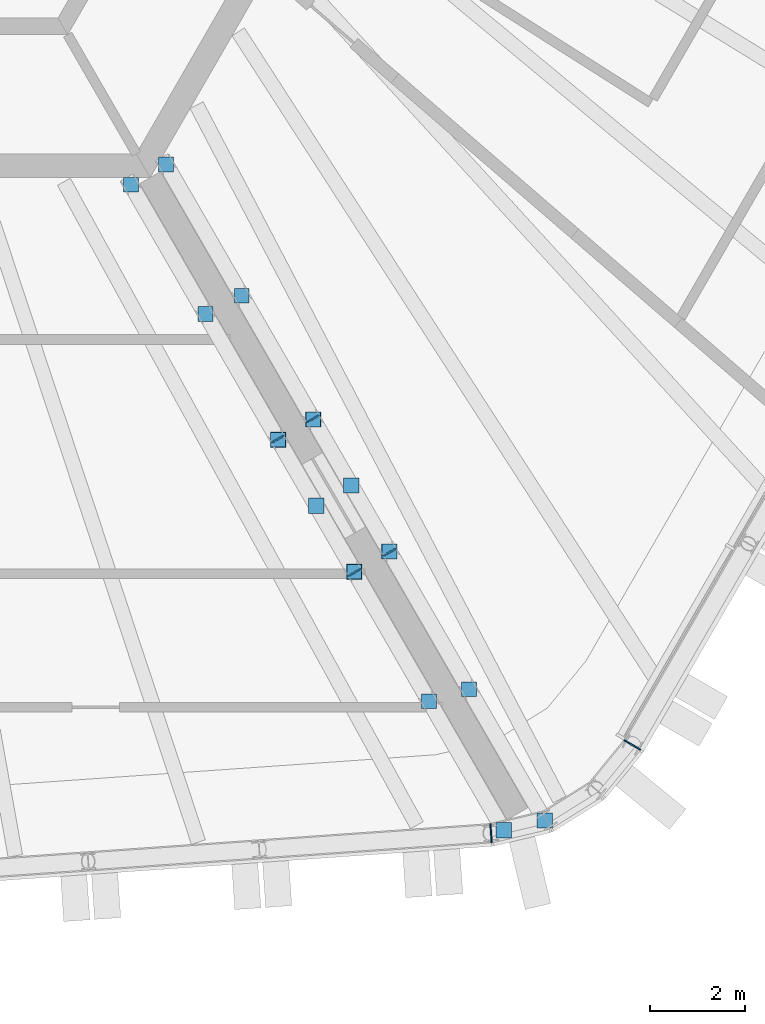
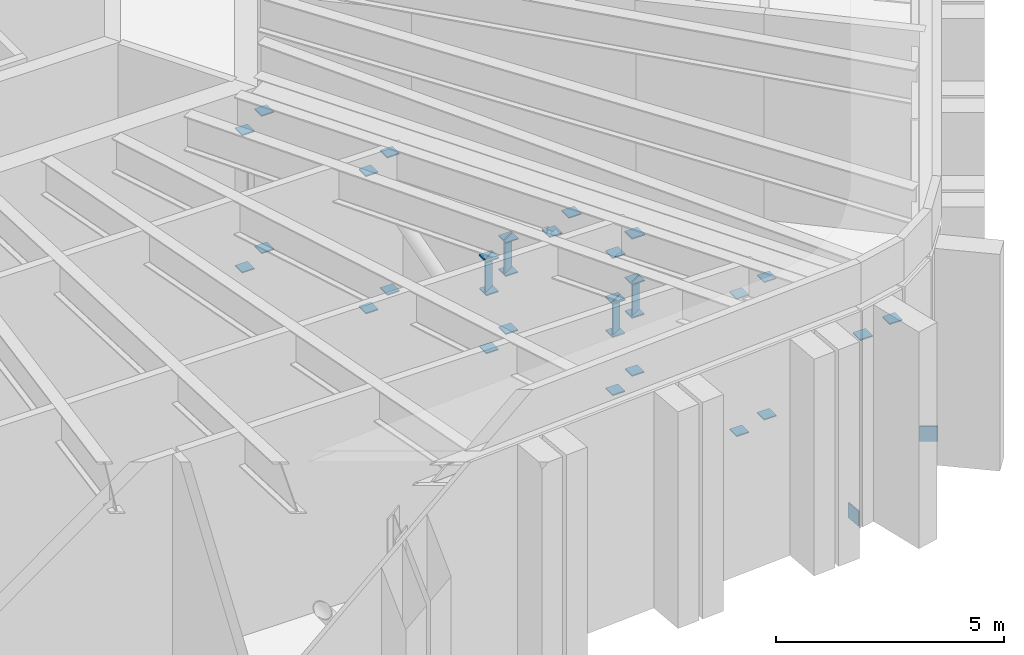
# One storey, part 18 of 24: 36 discrete accessories.
"""IFC4 building model written with IfcOpenShell, lengths in metres."""

from ifc_helpers import new_model, si_unit, direction, frame, origin, origin_2d, place, context, subcontext, project, spatial, rectangle, extrude, material, type_object, element, save


model = new_model("IFC4")

# Units and contexts
model_context = context("Model", 3, precision=1e-05, world=origin(), true_north=direction((0.0, 1.0)))
body_context = subcontext(model_context, "Body", "Model", "MODEL_VIEW")
ifc_project = project(units=[si_unit("LENGTHUNIT", "METRE"), si_unit("AREAUNIT", "SQUARE_METRE"), si_unit("VOLUMEUNIT", "CUBIC_METRE"), si_unit("PLANEANGLEUNIT", "RADIAN"), si_unit("MASSUNIT", "GRAM", prefix="KILO")], contexts=[model_context])

# Site, building, storey
site_placement = place(None, origin())
site = spatial("IfcSite", under=ifc_project, at=site_placement, CompositionType="ELEMENT")
building_placement = place(site_placement, origin())
building = spatial("IfcBuilding", under=site, at=building_placement, Name="Tarnside Tower", CompositionType="ELEMENT")
storey_placement = place(building_placement, frame((0.0, 0.0, 250.199951171875)))
storey = spatial("IfcBuildingStorey", under=building, at=storey_placement, Name="L60", CompositionType="ELEMENT", Elevation=250.199951171875)

# Discrete accessories
ifc_material = material(Name="Steel S355", Category="steel")
discrete_accessory_type_1 = type_object("IfcDiscreteAccessoryType", Name="Cast-in plate L60 belt truss chord end", PredefinedType="USERDEFINED", material=ifc_material)
for number, where, z_axis, x_axis, name in (
    (1, (14.663818359375, -26.767333984375, -0.2998046875), (0.0, 0.0, 1.0), (0.99756405026, 0.069756473744, 0.0), "Cast-in plate run L60 B"),
    (2, (17.6298828125, -24.913818359375, -0.2998046875), (0.0, 0.0, 1.0), (0.5, 0.866025403784, 0.0), "Cast-in plate run L60 A"),
):
    element("IfcDiscreteAccessory", number, at=place(storey_placement, frame(where, z_axis=z_axis, x_axis=x_axis)), inside=storey, type_object=discrete_accessory_type_1, Name=name, ObjectType="Cast-in plate", PredefinedType="USERDEFINED", context=body_context, shape_type="SweptSolid", body=[
        extrude(rectangle(XDim=0.030029296875, YDim=0.403076171875, at=origin_2d()), origin(), (0.0, 0.0, 1.0), 0.406494140625),
    ])
discrete_accessory_type_2 = type_object("IfcDiscreteAccessoryType", Name="Gusset plate L60 outrigger end 308", PredefinedType="USERDEFINED", material=ifc_material)
for number, where, z_axis, x_axis, name in (
    (3, (10.922607421875, -18.0673828125, 2.4501953125), (0.0, 0.0, 1.0), (-0.500001511499, 0.866024531118, 0.0), "Gusset plate 69 L60"),
    (4, (12.53759765625, -20.864501953125, 2.4501953125), (0.0, 0.0, 1.0), (0.500001511499, -0.866024531118, 0.0), "Gusset plate 70 L60"),
    (5, (10.185302734375, -18.492919921875, 2.4501953125), (0.0, 0.0, 1.0), (-0.500001511499, 0.866024531118, 0.0), "Gusset plate 86 L60"),
    (6, (11.80029296875, -21.2900390625, 2.4501953125), (0.0, 0.0, 1.0), (0.500001511499, -0.866024531118, 0.0), "Gusset plate 87 L60"),
):
    element("IfcDiscreteAccessory", number, at=place(storey_placement, frame(where, z_axis=z_axis, x_axis=x_axis)), inside=storey, type_object=discrete_accessory_type_2, Name=name, ObjectType="Gusset plate", PredefinedType="USERDEFINED", context=body_context, shape_type="SweptSolid", body=[
        extrude(rectangle(XDim=0.030029296875, YDim=0.3076171875, at=origin_2d()), origin(), (0.0, 0.0, 1.0), 0.926513671875),
    ])
discrete_accessory_type_3 = type_object("IfcDiscreteAccessoryType", Name="Gusset plate L60 outrigger end 311", PredefinedType="USERDEFINED", material=ifc_material)
for number, where, z_axis, x_axis, name in (
    (7, (7.839111328125, -12.7265625, 0.896484375), (0.0, 0.0, 1.0), (1.0, 0.0, 0.0), "Gusset plate 71 L60"),
    (8, (7.839111328125, -12.7265625, 4.5732421875), (0.0, 0.0, 1.0), (1.0, 0.0, 0.0), "Gusset plate 72 L60"),
    (9, (9.429443359375, -15.481201171875, 0.896484375), (0.0, 0.0, 1.0), (1.0, 0.0, 0.0), "Gusset plate 73 L60"),
    (10, (9.429443359375, -15.481201171875, 4.5732421875), (0.0, 0.0, 1.0), (1.0, 0.0, 0.0), "Gusset plate 74 L60"),
    (11, (10.93017578125, -18.080322265625, 0.896484375), (0.0, 0.0, 1.0), (1.0, 0.0, 0.0), "Gusset plate 75 L60"),
    (12, (10.93017578125, -18.080322265625, 2.4501953125), (0.0, 0.0, 1.0), (1.0, 0.0, 0.0), "Gusset plate 76 L60"),
    (13, (12.530029296875, -20.851318359375, 0.896484375), (0.0, 0.0, 1.0), (1.0, 0.0, 0.0), "Gusset plate 77 L60"),
    (14, (12.530029296875, -20.851318359375, 2.4501953125), (0.0, 0.0, 1.0), (1.0, 0.0, 0.0), "Gusset plate 78 L60"),
    (15, (14.20068359375, -23.745361328125, 0.896484375), (0.0, 0.0, 1.0), (1.0, 0.0, 0.0), "Gusset plate 79 L60"),
    (16, (14.20068359375, -23.745361328125, 4.5732421875), (0.0, 0.0, 1.0), (1.0, 0.0, 0.0), "Gusset plate 80 L60"),
    (17, (7.101806640625, -13.152099609375, 0.896484375), (0.0, 0.0, 1.0), (1.0, 0.0, 0.0), "Gusset plate 88 L60"),
    (18, (7.101806640625, -13.152099609375, 4.5732421875), (0.0, 0.0, 1.0), (1.0, 0.0, 0.0), "Gusset plate 89 L60"),
    (19, (8.6669921875, -15.86279296875, 0.896484375), (0.0, 0.0, 1.0), (1.0, 0.0, 0.0), "Gusset plate 90 L60"),
    (20, (8.6669921875, -15.86279296875, 4.5732421875), (0.0, 0.0, 1.0), (1.0, 0.0, 0.0), "Gusset plate 91 L60"),
    (21, (10.19287109375, -18.505859375, 0.896484375), (0.0, 0.0, 1.0), (1.0, 0.0, 0.0), "Gusset plate 92 L60"),
    (22, (10.19287109375, -18.505859375, 2.4501953125), (0.0, 0.0, 1.0), (1.0, 0.0, 0.0), "Gusset plate 93 L60"),
    (23, (11.792724609375, -21.277099609375, 0.896484375), (0.0, 0.0, 1.0), (1.0, 0.0, 0.0), "Gusset plate 94 L60"),
    (24, (11.792724609375, -21.277099609375, 2.4501953125), (0.0, 0.0, 1.0), (1.0, 0.0, 0.0), "Gusset plate 95 L60"),
    (25, (13.36181640625, -23.994384765625, 0.896484375), (0.0, 0.0, 1.0), (1.0, 0.0, 0.0), "Gusset plate 96 L60"),
    (26, (13.36181640625, -23.994384765625, 4.5732421875), (0.0, 0.0, 1.0), (1.0, 0.0, 0.0), "Gusset plate 97 L60"),
):
    element("IfcDiscreteAccessory", number, at=place(storey_placement, frame(where, z_axis=z_axis, x_axis=x_axis)), inside=storey, type_object=discrete_accessory_type_3, Name=name, ObjectType="Gusset plate", PredefinedType="USERDEFINED", context=body_context, shape_type="SweptSolid", body=[
        extrude(rectangle(XDim=0.311279296875, YDim=0.311279296875, at=origin_2d()), origin(), (0.0, 0.0, 1.0), 0.030029296875),
    ])
discrete_accessory_type_4 = type_object("IfcDiscreteAccessoryType", Name="Gusset plate L60 outrigger end 324", PredefinedType="USERDEFINED", material=ifc_material)
for number, where, z_axis, x_axis, name in (
    (27, (10.93017578125, -18.080322265625, 3.3466796875), (0.0, 0.0, 1.0), (1.0, 0.0, 0.0), "Gusset plate 81 L60"),
    (28, (11.72998046875, -19.4658203125, 4.5732421875), (0.0, 0.0, 1.0), (1.0, 0.0, 0.0), "Gusset plate 82 L60"),
    (29, (12.530029296875, -20.851318359375, 3.3466796875), (0.0, 0.0, 1.0), (1.0, 0.0, 0.0), "Gusset plate 83 L60"),
    (30, (12.530029296875, -20.851318359375, 4.5732421875), (0.0, 0.0, 1.0), (1.0, 0.0, 0.0), "Gusset plate 84 L60"),
    (31, (15.791259765625, -26.5, 4.5732421875), (0.0, 0.0, 1.0), (1.0, 0.0, 0.0), "Gusset plate 85 L60"),
    (32, (10.19287109375, -18.505859375, 3.3466796875), (0.0, 0.0, 1.0), (1.0, 0.0, 0.0), "Gusset plate 98 L60"),
    (33, (10.992919921875, -19.891357421875, 4.5732421875), (0.0, 0.0, 1.0), (1.0, 0.0, 0.0), "Gusset plate 99 L60"),
    (34, (11.792724609375, -21.277099609375, 3.3466796875), (0.0, 0.0, 1.0), (1.0, 0.0, 0.0), "Gusset plate 100 L60"),
    (35, (11.792724609375, -21.277099609375, 4.5732421875), (0.0, 0.0, 1.0), (1.0, 0.0, 0.0), "Gusset plate 101 L60"),
    (36, (14.9267578125, -26.705078125, 4.5732421875), (0.0, 0.0, 1.0), (1.0, 0.0, 0.0), "Gusset plate 102 L60"),
):
    element("IfcDiscreteAccessory", number, at=place(storey_placement, frame(where, z_axis=z_axis, x_axis=x_axis)), inside=storey, type_object=discrete_accessory_type_4, Name=name, ObjectType="Gusset plate", PredefinedType="USERDEFINED", context=body_context, shape_type="SweptSolid", body=[
        extrude(rectangle(XDim=0.323974609375, YDim=0.323974609375, at=origin_2d()), origin(), (0.0, 0.0, 1.0), 0.030029296875),
    ])

save(model, "model.ifc")
